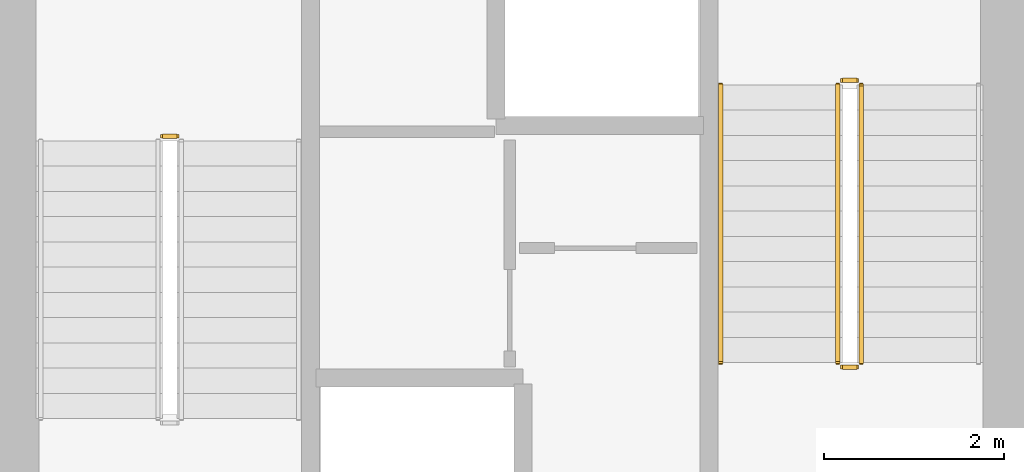
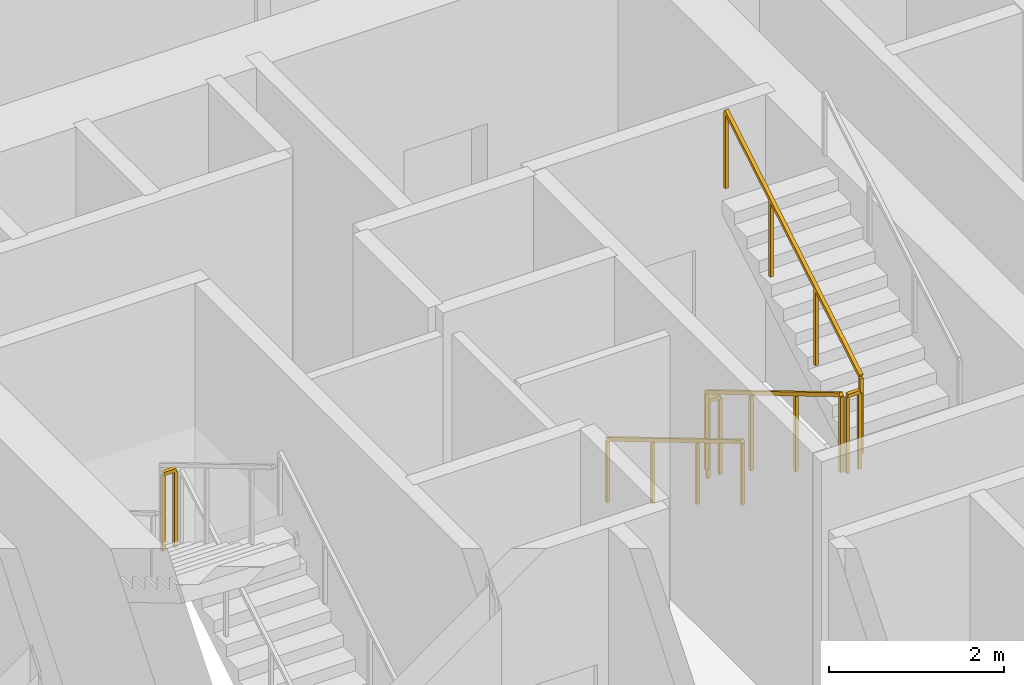
# One storey, part 11 of 12: 6 railings.
"""IFC4 building model written with IfcOpenShell, lengths in metres."""

from ifc_helpers import new_model, si_unit, direction, frame, origin, origin_2d, place, context, subcontext, project, spatial, rectangle, extrude, material, type_object, element, save


model = new_model("IFC4")

# Units and contexts
model_context = context("Model", 3, precision=1e-05, world=origin(), true_north=direction((0.0, 1.0)))
body_context = subcontext(model_context, "Body", "Model", "MODEL_VIEW")
ifc_project = project(units=[si_unit("LENGTHUNIT", "METRE"), si_unit("AREAUNIT", "SQUARE_METRE"), si_unit("VOLUMEUNIT", "CUBIC_METRE"), si_unit("PLANEANGLEUNIT", "RADIAN"), si_unit("MASSUNIT", "GRAM", prefix="KILO")], contexts=[model_context])

# Site, building, storey
site_placement = place(None, origin())
site = spatial("IfcSite", under=ifc_project, at=site_placement, CompositionType="ELEMENT")
building_placement = place(site_placement, origin())
building = spatial("IfcBuilding", under=site, at=building_placement, Name="Veldorim Arch Residences", CompositionType="ELEMENT")
storey_placement = place(building_placement, frame((0.0, 0.0, 12.0)))
storey = spatial("IfcBuildingStorey", under=building, at=storey_placement, Name="L03", CompositionType="ELEMENT", Elevation=12.0)

# Railings
ifc_material_1 = material(Name="Steel S355", Category="steel")
railing_type_1 = type_object("IfcRailingType", Name="Galvanised Steel Stair Safety Guardrail 1100", PredefinedType="GUARDRAIL", material=ifc_material_1)
railing_1_placement = place(storey_placement, frame((28.31005859375, 25.280029296875, 2.0)))
element("IfcRailing", 1, at=railing_1_placement, inside=storey, type_object=railing_type_1, Name="L03 ST-1 stair guard 2", PredefinedType="GUARDRAIL", context=body_context, shape_type="SweptSolid", body=[
    extrude(rectangle(XDim=0.048095703125, YDim=0.048095703125, at=origin_2d()), frame((0.0, 0.0, 1.076171875), z_axis=(-1.0, 0.0, 0.0), x_axis=(0.0, -1.0, 0.0)), (0.0, 0.0, 1.0), 0.16015625),
    extrude(rectangle(XDim=0.0419921875, YDim=0.0419921875, at=origin_2d()), origin(), (0.0, 0.0, 1.0), 1.052001953125),
    extrude(rectangle(XDim=0.0419921875, YDim=0.0419921875, at=origin_2d()), frame((-0.16015625, 0.0, 0.0)), (0.0, 0.0, 1.0), 1.052001953125),
])
railing_2_placement = place(storey_placement, frame((35.639892578125, 25.85009765625, 0.166748046875)))
element("IfcRailing", 2, at=railing_2_placement, inside=storey, type_object=railing_type_1, Name="L03 ST-2 stair guard 1", PredefinedType="GUARDRAIL", context=body_context, shape_type="SweptSolid", body=[
    extrude(rectangle(XDim=0.048095703125, YDim=0.048095703125, at=origin_2d()), frame((0.0, 0.0, 1.076171875), z_axis=(0.0, -0.859308565015, 0.511457515432), x_axis=(1.0, 0.0, 0.0)), (0.0, 0.0, 1.0), 3.58447265625),
    extrude(rectangle(XDim=0.0419921875, YDim=0.0419921875, at=origin_2d()), origin(), (0.0, 0.0, 1.0), 1.052001953125),
    extrude(rectangle(XDim=0.0419921875, YDim=0.0419921875, at=origin_2d()), frame((0.0, -1.026611328125, 0.611083984375)), (0.0, 0.0, 1.0), 1.052001953125),
    extrude(rectangle(XDim=0.0419921875, YDim=0.0419921875, at=origin_2d()), frame((0.0, -2.053466796875, 1.22216796875)), (0.0, 0.0, 1.0), 1.052001953125),
    extrude(rectangle(XDim=0.0419921875, YDim=0.0419921875, at=origin_2d()), frame((0.0, -3.080078125, 1.833251953125)), (0.0, 0.0, 1.0), 1.052001953125),
])
railing_3_placement = place(storey_placement, frame((35.68994140625, 22.719970703125, 2.0)))
element("IfcRailing", 3, at=railing_3_placement, inside=storey, type_object=railing_type_1, Name="L03 ST-2 stair guard 2", PredefinedType="GUARDRAIL", context=body_context, shape_type="SweptSolid", body=[
    extrude(rectangle(XDim=0.048095703125, YDim=0.048095703125, at=origin_2d()), frame((0.0, 0.0, 1.076171875), z_axis=(1.0, 0.0, 0.0), x_axis=(0.0, 1.0, 0.0)), (0.0, 0.0, 1.0), 0.16015625),
    extrude(rectangle(XDim=0.0419921875, YDim=0.0419921875, at=origin_2d()), origin(), (0.0, 0.0, 1.0), 1.052001953125),
    extrude(rectangle(XDim=0.0419921875, YDim=0.0419921875, at=origin_2d()), frame((0.16015625, 0.0, 0.0)), (0.0, 0.0, 1.0), 1.052001953125),
])
railing_4_placement = place(storey_placement, frame((35.89990234375, 22.77001953125, 2.166748046875)))
element("IfcRailing", 4, at=railing_4_placement, inside=storey, type_object=railing_type_1, Name="L03 ST-2 stair guard 3", PredefinedType="GUARDRAIL", context=body_context, shape_type="SweptSolid", body=[
    extrude(rectangle(XDim=0.048095703125, YDim=0.048095703125, at=origin_2d()), frame((0.0, 0.0, 1.076171875), z_axis=(0.0, 0.859308565015, 0.511457515432), x_axis=(-1.0, 0.0, 0.0)), (0.0, 0.0, 1.0), 3.58447265625),
    extrude(rectangle(XDim=0.0419921875, YDim=0.0419921875, at=origin_2d()), origin(), (0.0, 0.0, 1.0), 1.052001953125),
    extrude(rectangle(XDim=0.0419921875, YDim=0.0419921875, at=origin_2d()), frame((0.0, 1.026611328125, 0.611083984375)), (0.0, 0.0, 1.0), 1.052001953125),
    extrude(rectangle(XDim=0.0419921875, YDim=0.0419921875, at=origin_2d()), frame((0.0, 2.053466796875, 1.22216796875)), (0.0, 0.0, 1.0), 1.052001953125),
    extrude(rectangle(XDim=0.0419921875, YDim=0.0419921875, at=origin_2d()), frame((0.0, 3.080078125, 1.833251953125)), (0.0, 0.0, 1.0), 1.052001953125),
])
railing_5_placement = place(storey_placement, frame((35.68994140625, 25.89990234375, 0.0)))
element("IfcRailing", 5, at=railing_5_placement, inside=storey, type_object=railing_type_1, Name="L03 ST-2 stair guard 4", PredefinedType="GUARDRAIL", context=body_context, shape_type="SweptSolid", body=[
    extrude(rectangle(XDim=0.048095703125, YDim=0.048095703125, at=origin_2d()), frame((0.0, 0.0, 1.076171875), z_axis=(1.0, 0.0, 0.0), x_axis=(0.0, 1.0, 0.0)), (0.0, 0.0, 1.0), 0.16015625),
    extrude(rectangle(XDim=0.0419921875, YDim=0.0419921875, at=origin_2d()), origin(), (0.0, 0.0, 1.0), 1.052001953125),
    extrude(rectangle(XDim=0.0419921875, YDim=0.0419921875, at=origin_2d()), frame((0.16015625, 0.0, 0.0)), (0.0, 0.0, 1.0), 1.052001953125),
])
ifc_material_2 = material(Name="Stainless Steel", Category="steel")
railing_type_2 = type_object("IfcRailingType", Name="Tubular Steel Continuous Wall Handrail 900", PredefinedType="HANDRAIL", material=ifc_material_2)
railing_6_placement = place(storey_placement, frame((34.340087890625, 25.85009765625, 0.166748046875)))
element("IfcRailing", 6, at=railing_6_placement, inside=storey, type_object=railing_type_2, Name="L03 ST-2 stair handrail 1", PredefinedType="HANDRAIL", context=body_context, shape_type="SweptSolid", body=[
    extrude(rectangle(XDim=0.048095703125, YDim=0.048095703125, at=origin_2d()), frame((0.0, 0.0, 0.8759765625), z_axis=(0.0, -0.859308565015, 0.511457515432), x_axis=(1.0, 0.0, 0.0)), (0.0, 0.0, 1.0), 3.58447265625),
    extrude(rectangle(XDim=0.0419921875, YDim=0.0419921875, at=origin_2d()), origin(), (0.0, 0.0, 1.0), 0.851806640625),
    extrude(rectangle(XDim=0.0419921875, YDim=0.0419921875, at=origin_2d()), frame((0.0, -1.026611328125, 0.611083984375)), (0.0, 0.0, 1.0), 0.851806640625),
    extrude(rectangle(XDim=0.0419921875, YDim=0.0419921875, at=origin_2d()), frame((0.0, -2.053466796875, 1.22216796875)), (0.0, 0.0, 1.0), 0.851806640625),
    extrude(rectangle(XDim=0.0419921875, YDim=0.0419921875, at=origin_2d()), frame((0.0, -3.080078125, 1.833251953125)), (0.0, 0.0, 1.0), 0.851806640625),
])

save(model, "model.ifc")
